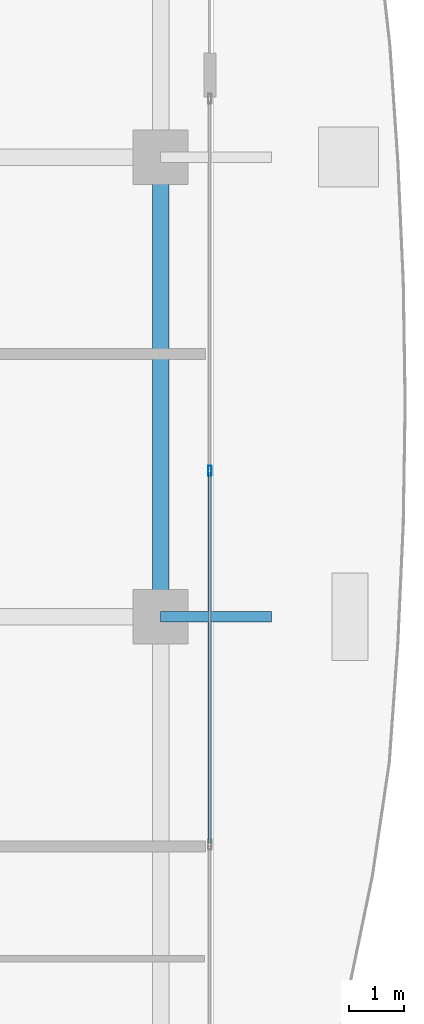
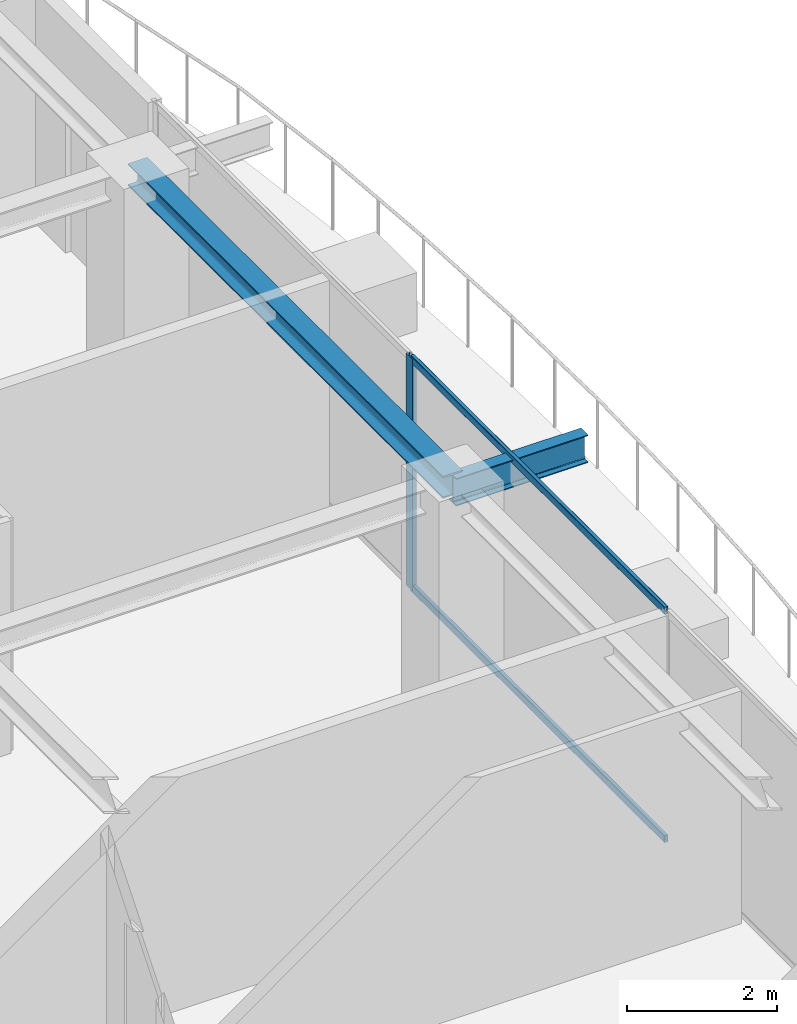
# One storey, part 16 of 40: 3 members, 2 beams, 1 element without a shape of its own.
"""IFC4 building model written with IfcOpenShell, lengths in metres."""

from ifc_helpers import new_model, si_unit, direction, frame, origin, origin_2d, place, context, subcontext, project, spatial, hollow_rectangle, i_section, extrude, source, transform, mapped, material, layer, layer_set, material_profile, profile_set, type_object, element, aggregate, save


model = new_model("IFC4")

# Units and contexts
model_context = context("Model", 3, precision=1e-05, world=origin(), true_north=direction((0.0, 1.0)))
body_context = subcontext(model_context, "Body", "Model", "MODEL_VIEW")
ifc_project = project(units=[si_unit("LENGTHUNIT", "METRE"), si_unit("AREAUNIT", "SQUARE_METRE"), si_unit("VOLUMEUNIT", "CUBIC_METRE"), si_unit("PLANEANGLEUNIT", "RADIAN"), si_unit("MASSUNIT", "GRAM", prefix="KILO")], contexts=[model_context])

# Site, building, storey
site_placement = place(None, origin())
site = spatial("IfcSite", under=ifc_project, at=site_placement, CompositionType="ELEMENT")
building_placement = place(site_placement, origin())
building = spatial("IfcBuilding", under=site, at=building_placement, Name="Serunith Strait Residences", CompositionType="ELEMENT")
storey_placement = place(building_placement, frame((0.0, 0.0, 313.699951171875)))
storey = spatial("IfcBuildingStorey", under=building, at=storey_placement, Name="L78", CompositionType="ELEMENT", Elevation=313.699951171875)

# Beams
ifc_material_1 = material(Name="Steel S355J2", Category="steel")
ifc_material_profile_1 = material_profile(ifc_material_1, i_section(OverallWidth=0.300048828125, OverallDepth=0.360107421875, WebThickness=0.012451171875, FlangeThickness=0.0224609375, FilletRadius=0.027099609375, at=origin_2d()), Name="HEB 360")
ifc_profile_set_1 = profile_set([ifc_material_profile_1], Name="Steel S355J2")
beam_type_1 = type_object("IfcBeamType", Name="BM-HEB360", PredefinedType="BEAM", material=ifc_profile_set_1)
shared_shape_1 = source(origin(), body_context, "Body", "SweptSolid", [
    extrude(i_section(OverallWidth=0.300048828125, OverallDepth=0.360107421875, WebThickness=0.012451171875, FlangeThickness=0.0224609375, FilletRadius=0.027099609375, at=origin_2d()), origin(), (0.0, 0.0, 1.0), 8.39990234375),
])
beam_1_placement = place(storey_placement, frame((54.699951171875, 21.0, 3.60693359375), z_axis=(0.0, 1.0, 0.0), x_axis=(-1.0, 0.0, 0.0)))
element("IfcBeam", 1, at=beam_1_placement, inside=storey, type_object=beam_type_1, Name="L78 Perimeter Ring Beam 06", PredefinedType="BEAM", context=body_context, shape_type="MappedRepresentation", body=[
    mapped(shared_shape_1, transform((0.0, 0.0, 0.0), scale=1.0)),
])
ifc_material_profile_2 = material_profile(ifc_material_1, i_section(OverallWidth=0.18994140625, OverallDepth=0.449951171875, WebThickness=0.009521484375, FlangeThickness=0.0146484375, FilletRadius=0.02099609375, at=origin_2d()), Name="IPE 450")
ifc_profile_set_2 = profile_set([ifc_material_profile_2], Name="Steel S355J2")
beam_type_2 = type_object("IfcBeamType", Name="BM-IPE450", PredefinedType="JOIST", material=ifc_profile_set_2)
shared_shape_2 = source(origin(), body_context, "Body", "SweptSolid", [
    extrude(i_section(OverallWidth=0.18994140625, OverallDepth=0.449951171875, WebThickness=0.009521484375, FlangeThickness=0.0146484375, FilletRadius=0.02099609375, at=origin_2d()), origin(), (0.0, 0.0, 1.0), 2.030029296875),
])
beam_2_placement = place(storey_placement, frame((54.699951171875, 21.0, 3.531982421875), z_axis=(1.0, 0.0, 0.0), x_axis=(0.0, 1.0, 0.0)))
element("IfcBeam", 2, at=beam_2_placement, inside=storey, type_object=beam_type_2, Name="L79 Cantilevered Balcony Rib TC-E2", PredefinedType="JOIST", context=body_context, shape_type="MappedRepresentation", body=[
    mapped(shared_shape_2, transform((0.0, 0.0, 0.0), scale=1.0)),
])

# Curtain wall, members
ifc_material_2 = material(Name="Brushed Stainless-Silver Aluminium", Category="aluminium")
ifc_layer = layer(ifc_material_2, 0.199951171875, Name="Brushed Stainless-Silver Aluminium")
ifc_layer_set = layer_set([ifc_layer], Name="Brushed Stainless-Silver Aluminium")
curtain_wall_type = type_object("IfcCurtainWallType", Name="CW-SYS5", PredefinedType="NOTDEFINED", material=ifc_layer_set)
curtain_wall_placement = place(storey_placement, origin())
curtain_wall = element("IfcCurtainWall", 3, at=curtain_wall_placement, inside=storey, type_object=curtain_wall_type, Name="L78 E Unitised Fritted Curtain Wall", PredefinedType="NOTDEFINED")
ifc_material_profile_3 = material_profile(ifc_material_2, hollow_rectangle(XDim=0.06494140625, YDim=0.179931640625, WallThickness=0.00341796875, InnerFilletRadius=0.00537109375, OuterFilletRadius=0.0087890625, at=origin_2d()), Name="ALU 180x65x3.5")
ifc_profile_set_3 = profile_set([ifc_material_profile_3], Name="Brushed Stainless-Silver Aluminium")
member_type_1 = type_object("IfcMemberType", Name="CW-SYS5-MULL", PredefinedType="MULLION", material=ifc_profile_set_3)
shared_shape_3 = source(origin(), body_context, "Body", "SweptSolid", [
    extrude(hollow_rectangle(XDim=0.06494140625, YDim=0.179931640625, WallThickness=0.00341796875, InnerFilletRadius=0.00537109375, OuterFilletRadius=0.0087890625, at=origin_2d()), origin(), (0.0, 0.0, 1.0), 3.775146484375),
])
member_1_placement = place(storey_placement, frame((55.60009765625, 23.666748046875, 0.0), z_axis=(0.0, 0.0, 1.0), x_axis=(-1.0, 0.0, 0.0)))
member_1 = element("IfcMember", 4, at=member_1_placement, type_object=member_type_1, Name="CW-5 mullion 3", PredefinedType="MULLION", context=body_context, shape_type="MappedRepresentation", body=[
    mapped(shared_shape_3, transform((0.0, 0.0, 0.0), scale=1.0)),
])
ifc_material_profile_4 = material_profile(ifc_material_2, hollow_rectangle(XDim=0.06005859375, YDim=0.1201171875, WallThickness=0.00341796875, InnerFilletRadius=0.00537109375, OuterFilletRadius=0.0087890625, at=origin_2d()), Name="ALU 120x60x3.5")
ifc_profile_set_4 = profile_set([ifc_material_profile_4], Name="Brushed Stainless-Silver Aluminium")
member_type_2 = type_object("IfcMemberType", Name="CW-SYS5-TRAN", PredefinedType="USERDEFINED", material=ifc_profile_set_4)
shared_shape_4 = source(origin(), body_context, "Body", "SweptSolid", [
    extrude(hollow_rectangle(XDim=0.06005859375, YDim=0.1201171875, WallThickness=0.00341796875, InnerFilletRadius=0.00537109375, OuterFilletRadius=0.0087890625, at=origin_2d()), origin(), (0.0, 0.0, 1.0), 6.7685546875),
])
member_2_placement = place(storey_placement, frame((55.60009765625, 16.86572265625, 0.030029296875), z_axis=(0.0, 1.0, 0.0), x_axis=(-1.0, 0.0, 0.0)))
member_2 = element("IfcMember", 5, at=member_2_placement, type_object=member_type_2, Name="CW-5 transom 2.1", ObjectType="TRANSOM", PredefinedType="USERDEFINED", context=body_context, shape_type="MappedRepresentation", body=[
    mapped(shared_shape_4, transform((0.0, 0.0, 0.0), scale=1.0)),
])
member_3_placement = place(storey_placement, frame((55.60009765625, 16.86572265625, 3.7451171875), z_axis=(0.0, 1.0, 0.0), x_axis=(-1.0, 0.0, 0.0)))
member_3 = element("IfcMember", 6, at=member_3_placement, type_object=member_type_2, Name="CW-5 transom 2.2", ObjectType="TRANSOM", PredefinedType="USERDEFINED", context=body_context, shape_type="MappedRepresentation", body=[
    mapped(shared_shape_4, transform((0.0, 0.0, 0.0), scale=1.0)),
])
aggregate(curtain_wall, [member_1, member_2, member_3])

save(model, "model.ifc")
